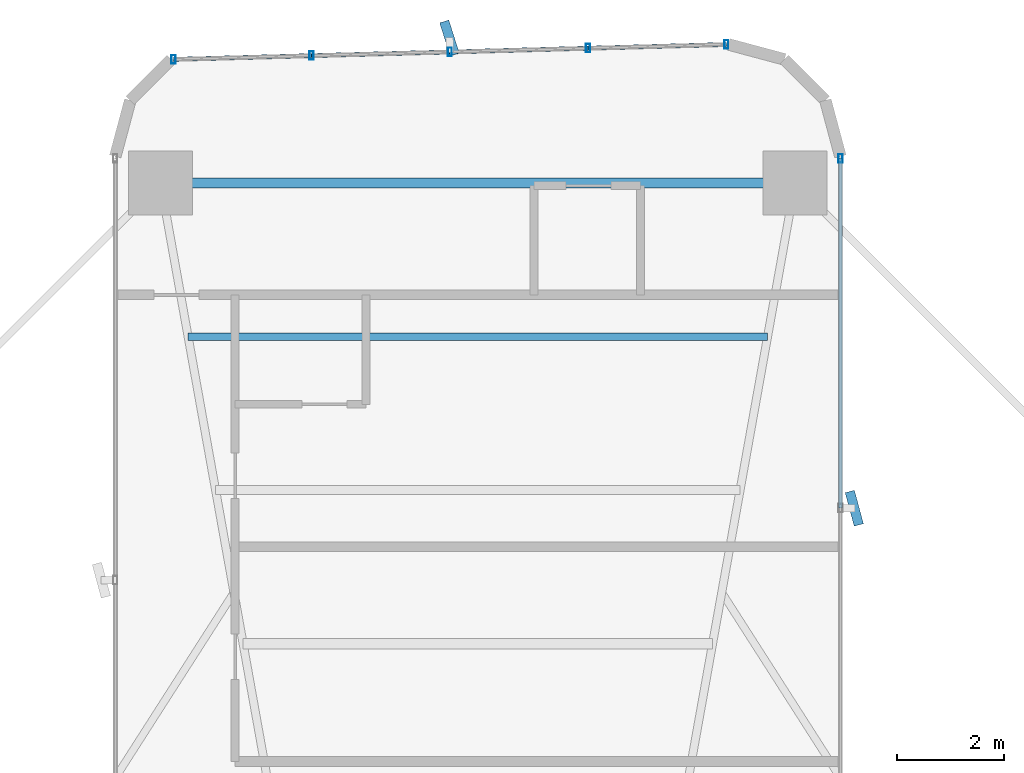
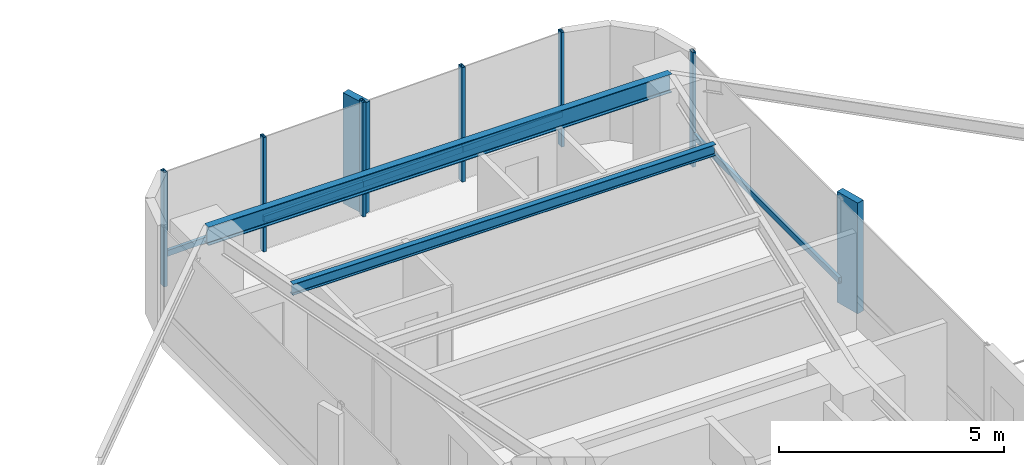
# One storey, part 19 of 25: 13 members, 2 beams, 2 elements without a shape of their own.
"""IFC4 building model written with IfcOpenShell, lengths in metres."""

from ifc_helpers import new_model, si_unit, direction, frame, origin, origin_2d, place, context, subcontext, project, spatial, rectangle, hollow_rectangle, i_section, extrude, source, transform, mapped, material, material_profile, profile_set, type_object, element, aggregate, save


model = new_model("IFC4")

# Units and contexts
model_context = context("Model", 3, precision=1e-05, world=origin(), true_north=direction((0.0, 1.0)))
body_context = subcontext(model_context, "Body", "Model", "MODEL_VIEW")
ifc_project = project(units=[si_unit("LENGTHUNIT", "METRE"), si_unit("AREAUNIT", "SQUARE_METRE"), si_unit("VOLUMEUNIT", "CUBIC_METRE"), si_unit("PLANEANGLEUNIT", "RADIAN"), si_unit("MASSUNIT", "GRAM", prefix="KILO")], contexts=[model_context])

# Site, building, storey
site_placement = place(None, origin())
site = spatial("IfcSite", under=ifc_project, at=site_placement, CompositionType="ELEMENT")
building_placement = place(site_placement, origin())
building = spatial("IfcBuilding", under=site, at=building_placement, Name="Sahyath Konkavel Grand Hotel", CompositionType="ELEMENT")
storey_placement = place(building_placement, frame((0.0, 0.0, 67.800048828125)))
storey = spatial("IfcBuildingStorey", under=building, at=storey_placement, Name="L18", CompositionType="ELEMENT", Elevation=67.800048828125)

# Beams
ifc_material_1 = material(Name="Steel E350", Category="steel")
ifc_material_profile_1 = material_profile(ifc_material_1, i_section(OverallWidth=0.179931640625, OverallDepth=0.5, WebThickness=0.01025390625, FlangeThickness=0.01708984375, FilletRadius=0.01708984375, at=origin_2d()), Name="ISMB 500")
ifc_profile_set_1 = profile_set([ifc_material_profile_1], Name="Steel E350")
beam_type_1 = type_object("IfcBeamType", Name="BM-ISMB500", PredefinedType="BEAM", material=ifc_profile_set_1)
shared_shape_1 = source(origin(), body_context, "Body", "SweptSolid", [
    extrude(i_section(OverallWidth=0.179931640625, OverallDepth=0.5, WebThickness=0.01025390625, FlangeThickness=0.01708984375, FilletRadius=0.01708984375, at=origin_2d()), origin(), (0.0, 0.0, 1.0), 11.89990234375),
])
beam_1_placement = place(storey_placement, frame((5.949951171875, 22.199951171875, 2.85986328125), z_axis=(-1.0, 0.0, 0.0), x_axis=(0.0, -1.0, 0.0)))
element("IfcBeam", 1, at=beam_1_placement, inside=storey, type_object=beam_type_1, Name="L18 Wing Tip Edge Beam N", PredefinedType="BEAM", context=body_context, shape_type="MappedRepresentation", body=[
    mapped(shared_shape_1, transform((0.0, 0.0, 0.0), scale=1.0)),
])
ifc_material_profile_2 = material_profile(ifc_material_1, i_section(OverallWidth=0.139892578125, OverallDepth=0.300048828125, WebThickness=0.0078125, FlangeThickness=0.01318359375, FilletRadius=0.013916015625, at=origin_2d()), Name="ISMB 300")
ifc_profile_set_2 = profile_set([ifc_material_profile_2], Name="Steel E350")
beam_type_2 = type_object("IfcBeamType", Name="BM-ISMB300", PredefinedType="BEAM", material=ifc_profile_set_2)
shared_shape_2 = source(origin(), body_context, "Body", "SweptSolid", [
    extrude(i_section(OverallWidth=0.139892578125, OverallDepth=0.300048828125, WebThickness=0.0078125, FlangeThickness=0.01318359375, FilletRadius=0.013916015625, at=origin_2d()), origin(), (0.0, 0.0, 1.0), 10.8681640625),
])
beam_2_placement = place(storey_placement, frame((5.43408203125, 19.320068359375, 2.9599609375), z_axis=(-1.0, 0.0, 0.0), x_axis=(0.0, -1.0, 0.0)))
element("IfcBeam", 2, at=beam_2_placement, inside=storey, type_object=beam_type_2, Name="L18 Secondary Floor Beam N-3", PredefinedType="BEAM", context=body_context, shape_type="MappedRepresentation", body=[
    mapped(shared_shape_2, transform((0.0, 0.0, 0.0), scale=1.0)),
])

# Curtain wall, member
ifc_material_2 = material(Name="Anodised Bronze Aluminium & Low-E Glazing", Category="aluminium")
curtain_wall_type = type_object("IfcCurtainWallType", Name="CW-ZONE1", PredefinedType="NOTDEFINED", material=ifc_material_2)
curtain_wall_1_placement = place(storey_placement, origin())
curtain_wall_1 = element("IfcCurtainWall", 3, at=curtain_wall_1_placement, inside=storey, type_object=curtain_wall_type, Name="L18 Unitised Curtain Wall F8", PredefinedType="NOTDEFINED")
ifc_material_3 = material(Name="Anodised Bronze Aluminium", Category="aluminium")
ifc_material_profile_3 = material_profile(ifc_material_3, hollow_rectangle(XDim=0.080078125, YDim=0.159912109375, WallThickness=0.006103515625, at=origin_2d()), Name="RHS 160x80x6")
ifc_profile_set_3 = profile_set([ifc_material_profile_3], Name="Anodised Bronze Aluminium")
member_type_1 = type_object("IfcMemberType", Name="CW-MUL-160", PredefinedType="MULLION", material=ifc_profile_set_3)
shared_shape_3 = source(origin(), body_context, "Body", "SweptSolid", [
    extrude(hollow_rectangle(XDim=0.080078125, YDim=0.159912109375, WallThickness=0.006103515625, at=origin_2d()), origin(), (0.0, 0.0, 1.0), 3.10986328125),
])
member_1_placement = place(storey_placement, frame((6.800048828125, 22.659912109375, 0.0), z_axis=(0.0, 0.0, 1.0), x_axis=(1.0, 0.0, 0.0)))
member_1 = element("IfcMember", 4, at=member_1_placement, type_object=member_type_1, Name="L18 Curtain Wall Mullion F8-2", PredefinedType="MULLION", context=body_context, shape_type="MappedRepresentation", body=[
    mapped(shared_shape_3, transform((0.0, 0.0, 0.0), scale=1.0)),
])

# Curtain wall, members
curtain_wall_2_placement = place(storey_placement, origin())
curtain_wall_2 = element("IfcCurtainWall", 5, at=curtain_wall_2_placement, inside=storey, type_object=curtain_wall_type, Name="L18 Unitised Curtain Wall F12", PredefinedType="NOTDEFINED")
member_2_placement = place(storey_placement, frame((4.659912109375, 24.798828125, 0.0), z_axis=(0.0, 0.0, 1.0), x_axis=(1.0, 0.0, 0.0)))
member_2 = element("IfcMember", 6, at=member_2_placement, type_object=member_type_1, Name="L18 Curtain Wall Mullion F12-0", PredefinedType="MULLION", context=body_context, shape_type="MappedRepresentation", body=[
    mapped(shared_shape_3, transform((0.0, 0.0, 0.0), scale=1.0)),
])
member_3_placement = place(storey_placement, frame((2.0673828125, 24.72900390625, 0.0), z_axis=(0.0, 0.0, 1.0), x_axis=(1.0, 0.0, 0.0)))
member_3 = element("IfcMember", 7, at=member_3_placement, type_object=member_type_1, Name="L18 Curtain Wall Mullion F12-1", PredefinedType="MULLION", context=body_context, shape_type="MappedRepresentation", body=[
    mapped(shared_shape_3, transform((0.0, 0.0, 0.0), scale=1.0)),
])
member_4_placement = place(storey_placement, frame((-0.52490234375, 24.6591796875, 0.0), z_axis=(0.0, 0.0, 1.0), x_axis=(1.0, 0.0, 0.0)))
member_4 = element("IfcMember", 8, at=member_4_placement, type_object=member_type_1, Name="L18 Curtain Wall Mullion F12-2", PredefinedType="MULLION", context=body_context, shape_type="MappedRepresentation", body=[
    mapped(shared_shape_3, transform((0.0, 0.0, 0.0), scale=1.0)),
])
member_5_placement = place(storey_placement, frame((-3.117431640625, 24.589599609375, 0.0), z_axis=(0.0, 0.0, 1.0), x_axis=(1.0, 0.0, 0.0)))
member_5 = element("IfcMember", 9, at=member_5_placement, type_object=member_type_1, Name="L18 Curtain Wall Mullion F12-3", PredefinedType="MULLION", context=body_context, shape_type="MappedRepresentation", body=[
    mapped(shared_shape_3, transform((0.0, 0.0, 0.0), scale=1.0)),
])
member_6_placement = place(storey_placement, frame((-5.7099609375, 24.519775390625, 0.0), z_axis=(0.0, 0.0, 1.0), x_axis=(1.0, 0.0, 0.0)))
member_6 = element("IfcMember", 10, at=member_6_placement, type_object=member_type_1, Name="L18 Curtain Wall Mullion F12-4", PredefinedType="MULLION", context=body_context, shape_type="MappedRepresentation", body=[
    mapped(shared_shape_3, transform((0.0, 0.0, 0.0), scale=1.0)),
])

# Member
ifc_material_4 = material(Name="Warm Buff Sandstone Cladding on Concrete C50/60", Category="masonry")
ifc_material_profile_4 = material_profile(ifc_material_4, rectangle(XDim=0.179931640625, YDim=0.64990234375, at=origin_2d()), Name="FIN 180x650")
ifc_profile_set_4 = profile_set([ifc_material_profile_4], Name="Warm Buff Sandstone Cladding on Concrete C50/60")
member_type_2 = type_object("IfcMemberType", Name="FIN-SANDSTONE-650", PredefinedType="MULLION", material=ifc_profile_set_4)
shared_shape_4 = source(origin(), body_context, "Body", "SweptSolid", [
    extrude(rectangle(XDim=0.179931640625, YDim=0.64990234375, at=origin_2d()), origin(), (0.0, 0.0, 1.0), 3.010009765625),
])
member_7_placement = place(storey_placement, frame((7.06005859375, 16.10009765625, 0.050048828125), z_axis=(0.0, 0.0, 1.0), x_axis=(0.965744901133, 0.259493325415, 0.0)))
member_7 = element("IfcMember", 11, at=member_7_placement, type_object=member_type_2, Name="L18 Sandstone Vertical Solar Fin FIN F8-1", PredefinedType="MULLION", context=body_context, shape_type="MappedRepresentation", body=[
    mapped(shared_shape_4, transform((0.0, 0.0, 0.0), scale=1.0)),
])

member_8_placement = place(storey_placement, frame((-0.531982421875, 24.919189453125, 0.050048828125), z_axis=(0.0, 0.0, 1.0), x_axis=(0.953032216634, 0.302868938746, 0.0)))
member_8 = element("IfcMember", 12, at=member_8_placement, type_object=member_type_2, Name="L18 Sandstone Vertical Solar Fin FIN F12-2", PredefinedType="MULLION", context=body_context, shape_type="MappedRepresentation", body=[
    mapped(shared_shape_4, transform((0.0, 0.0, 0.0), scale=1.0)),
])

ifc_material_profile_5 = material_profile(ifc_material_3, hollow_rectangle(XDim=0.080078125, YDim=0.159912109375, WallThickness=0.006103515625, at=origin_2d()), Name="RHS 160x80x6")
ifc_profile_set_5 = profile_set([ifc_material_profile_5], Name="Anodised Bronze Aluminium")
member_type_3 = type_object("IfcMemberType", Name="CW-TRN-160", PredefinedType="USERDEFINED", material=ifc_profile_set_5)
shared_shape_5 = source(origin(), body_context, "Body", "SweptSolid", [
    extrude(hollow_rectangle(XDim=0.080078125, YDim=0.159912109375, WallThickness=0.006103515625, at=origin_2d()), origin(), (0.0, 0.0, 1.0), 2.593505859375),
])
member_9_placement = place(storey_placement, frame((4.659912109375, 24.798828125, 0.849853515625), z_axis=(-0.999637507825, -0.026923093252, 0.0), x_axis=(0.026923093252, -0.999637507825, 0.0)))
member_9 = element("IfcMember", 13, at=member_9_placement, type_object=member_type_3, Name="L18 Curtain Wall Transom F12-0-spandrel", ObjectType="TRANSOM", PredefinedType="USERDEFINED", context=body_context, shape_type="MappedRepresentation", body=[
    mapped(shared_shape_5, transform((0.0, 0.0, 0.0), scale=1.0)),
])

member_10_placement = place(storey_placement, frame((-0.52490234375, 24.6591796875, 0.849853515625), z_axis=(-0.999640036937, -0.02682902444, 0.0), x_axis=(0.02682902444, -0.999640036937, 0.0)))
member_10 = element("IfcMember", 14, at=member_10_placement, type_object=member_type_3, Name="L18 Curtain Wall Transom F12-2-spandrel", ObjectType="TRANSOM", PredefinedType="USERDEFINED", context=body_context, shape_type="MappedRepresentation", body=[
    mapped(shared_shape_5, transform((0.0, 0.0, 0.0), scale=1.0)),
])

member_11_placement = place(storey_placement, frame((-3.117431640625, 24.589599609375, 0.849853515625), z_axis=(-0.999637507825, -0.026923093252, 0.0), x_axis=(0.026923093252, -0.999637507825, 0.0)))
member_11 = element("IfcMember", 15, at=member_11_placement, type_object=member_type_3, Name="L18 Curtain Wall Transom F12-3-spandrel", ObjectType="TRANSOM", PredefinedType="USERDEFINED", context=body_context, shape_type="MappedRepresentation", body=[
    mapped(shared_shape_5, transform((0.0, 0.0, 0.0), scale=1.0)),
])

shared_shape_6 = source(origin(), body_context, "Body", "SweptSolid", [
    extrude(hollow_rectangle(XDim=0.080078125, YDim=0.159912109375, WallThickness=0.006103515625, at=origin_2d()), origin(), (0.0, 0.0, 1.0), 2.59326171875),
])
member_12_placement = place(storey_placement, frame((2.0673828125, 24.72900390625, 0.849853515625), z_axis=(-0.99963743958, -0.026925627022, 0.0), x_axis=(0.026925627022, -0.99963743958, 0.0)))
member_12 = element("IfcMember", 16, at=member_12_placement, type_object=member_type_3, Name="L18 Curtain Wall Transom F12-1-spandrel", ObjectType="TRANSOM", PredefinedType="USERDEFINED", context=body_context, shape_type="MappedRepresentation", body=[
    mapped(shared_shape_6, transform((0.0, 0.0, 0.0), scale=1.0)),
])

aggregate(curtain_wall_2, [member_2, member_3, member_4, member_8, member_5, member_6, member_9, member_12, member_10, member_11])

shared_shape_7 = source(origin(), body_context, "Body", "SweptSolid", [
    extrude(hollow_rectangle(XDim=0.080078125, YDim=0.159912109375, WallThickness=0.006103515625, at=origin_2d()), origin(), (0.0, 0.0, 1.0), 6.559814453125),
])
member_13_placement = place(storey_placement, frame((6.800048828125, 16.10009765625, 0.849853515625), z_axis=(0.0, 1.0, 0.0), x_axis=(-1.0, 0.0, 0.0)))
member_13 = element("IfcMember", 17, at=member_13_placement, type_object=member_type_3, Name="L18 Curtain Wall Transom F8-1-spandrel", ObjectType="TRANSOM", PredefinedType="USERDEFINED", context=body_context, shape_type="MappedRepresentation", body=[
    mapped(shared_shape_7, transform((0.0, 0.0, 0.0), scale=1.0)),
])

aggregate(curtain_wall_1, [member_7, member_1, member_13])

save(model, "model.ifc")
